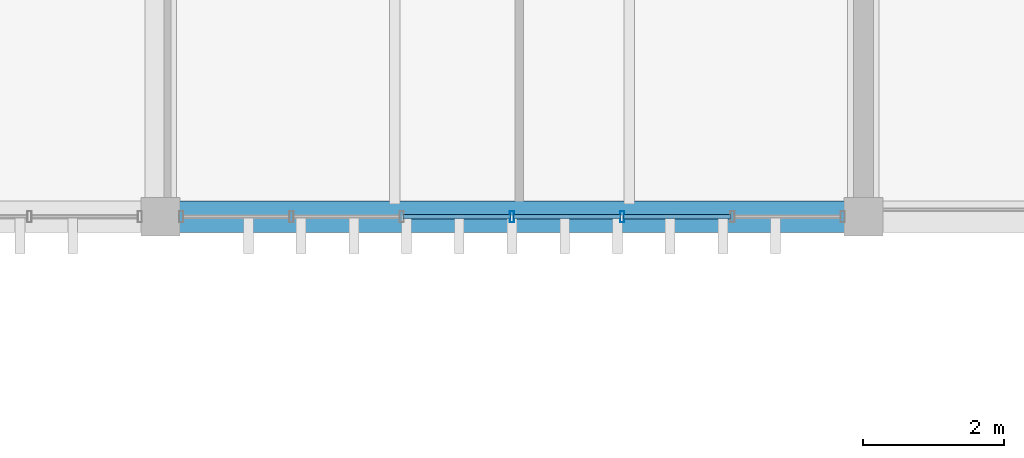
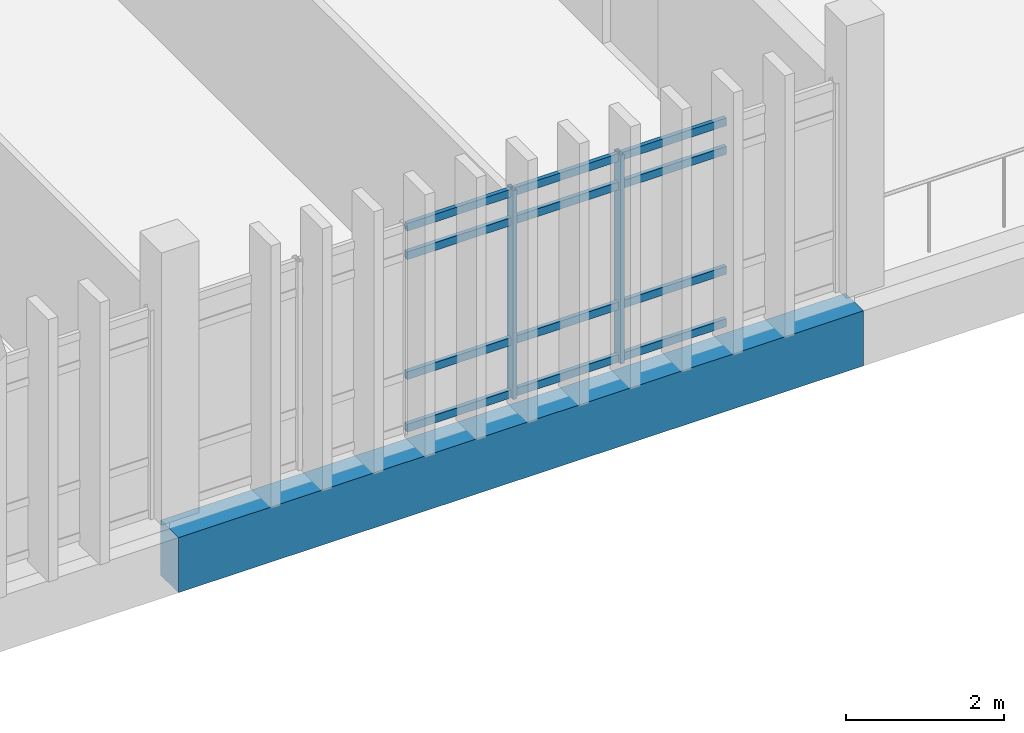
# One storey, part 9 of 29: 14 members, 1 beam, 1 element without a shape of its own.
"""IFC4 building model written with IfcOpenShell, lengths in metres."""

from ifc_helpers import new_model, si_unit, direction, frame, origin, origin_2d, place, context, subcontext, project, spatial, rectangle, hollow_rectangle, extrude, material, layer, layer_set, material_profile, profile_set, type_object, element, aggregate, save


model = new_model("IFC4")

# Units and contexts
model_context = context("Model", 3, precision=1e-05, world=origin(), true_north=direction((0.0, 1.0)))
body_context = subcontext(model_context, "Body", "Model", "MODEL_VIEW")
ifc_project = project(units=[si_unit("LENGTHUNIT", "METRE"), si_unit("AREAUNIT", "SQUARE_METRE"), si_unit("VOLUMEUNIT", "CUBIC_METRE"), si_unit("PLANEANGLEUNIT", "RADIAN"), si_unit("MASSUNIT", "GRAM", prefix="KILO")], contexts=[model_context])

# Site, building, storey
site_placement = place(None, origin())
site = spatial("IfcSite", under=ifc_project, at=site_placement, CompositionType="ELEMENT")
building_placement = place(site_placement, origin())
building = spatial("IfcBuilding", under=site, at=building_placement, Name="Mersad Railyard Sports Hall", CompositionType="ELEMENT")
storey_placement = place(building_placement, frame((0.0, 0.0, 17.39990234375)))
storey = spatial("IfcBuildingStorey", under=building, at=storey_placement, Name="L04", CompositionType="ELEMENT", Elevation=17.39990234375)

# Curtain wall, members
ifc_material_1 = material(Name="Aluminium 6063-T6", Category="aluminium")
ifc_layer = layer(ifc_material_1, 0.159912109375)
ifc_layer_set = layer_set([ifc_layer], Name="Aluminium 6063-T6")
curtain_wall_type = type_object("IfcCurtainWallType", Name="ARC-CW-CW65", PredefinedType="USERDEFINED", material=ifc_layer_set)
curtain_wall_placement = place(storey_placement, origin())
curtain_wall = element("IfcCurtainWall", 1, at=curtain_wall_placement, inside=storey, type_object=curtain_wall_type, Name="Curtain wall CW65-0170", ObjectType="CURTAIN WALL", PredefinedType="USERDEFINED")
ifc_material_profile_1 = material_profile(ifc_material_1, hollow_rectangle(XDim=0.06005859375, YDim=0.159912109375, WallThickness=0.00390625, at=origin_2d()), Name="AL MULLION 60x160x4")
ifc_profile_set_1 = profile_set([ifc_material_profile_1], Name="Aluminium 6063-T6")
member_type_1 = type_object("IfcMemberType", Name="ARC-CW-MUL01", PredefinedType="MULLION", material=ifc_profile_set_1)
member_1_placement = place(storey_placement, frame((117.568359375, 85.0, -0.02001953125), z_axis=(0.0, 0.0, 1.0), x_axis=(1.0, 0.0, 0.0)))
member_1 = element("IfcMember", 2, at=member_1_placement, type_object=member_type_1, Name="CW65 Mullion 3", PredefinedType="MULLION", context=body_context, shape_type="SweptSolid", body=[
    extrude(hollow_rectangle(XDim=0.06005859375, YDim=0.159912109375, WallThickness=0.00390625, at=origin_2d()), origin(), (0.0, 0.0, 1.0), 3.22021484375),
])
member_2_placement = place(storey_placement, frame((116.0, 85.0, -0.02001953125), z_axis=(0.0, 0.0, 1.0), x_axis=(1.0, 0.0, 0.0)))
member_2 = element("IfcMember", 3, at=member_2_placement, type_object=member_type_1, Name="CW65 Mullion 4", PredefinedType="MULLION", context=body_context, shape_type="SweptSolid", body=[
    extrude(hollow_rectangle(XDim=0.06005859375, YDim=0.159912109375, WallThickness=0.00390625, at=origin_2d()), origin(), (0.0, 0.0, 1.0), 3.22021484375),
])
ifc_material_profile_2 = material_profile(ifc_material_1, hollow_rectangle(XDim=0.06005859375, YDim=0.1201171875, WallThickness=0.00390625, at=origin_2d()), Name="AL TRANSOM 60x120x4")
ifc_profile_set_2 = profile_set([ifc_material_profile_2], Name="Aluminium 6063-T6")
member_type_2 = type_object("IfcMemberType", Name="ARC-CW-TRN01", PredefinedType="USERDEFINED", material=ifc_profile_set_2)
member_3_placement = place(storey_placement, frame((119.11669921875, 85.0, 0.0400390625), z_axis=(-1.0, 0.0, 0.0), x_axis=(0.0, -1.0, 0.0)))
member_3 = element("IfcMember", 4, at=member_3_placement, type_object=member_type_2, Name="CW65 Transom 1-2", ObjectType="TRANSOM", PredefinedType="USERDEFINED", context=body_context, shape_type="SweptSolid", body=[
    extrude(hollow_rectangle(XDim=0.06005859375, YDim=0.1201171875, WallThickness=0.00390625, at=origin_2d()), origin(), (0.0, 0.0, 1.0), 1.5283203125),
])
member_4_placement = place(storey_placement, frame((117.54833984375, 85.0, 0.0400390625), z_axis=(-1.0, 0.0, 0.0), x_axis=(0.0, -1.0, 0.0)))
member_4 = element("IfcMember", 5, at=member_4_placement, type_object=member_type_2, Name="CW65 Transom 1-3", ObjectType="TRANSOM", PredefinedType="USERDEFINED", context=body_context, shape_type="SweptSolid", body=[
    extrude(hollow_rectangle(XDim=0.06005859375, YDim=0.1201171875, WallThickness=0.00390625, at=origin_2d()), origin(), (0.0, 0.0, 1.0), 1.5283203125),
])
member_5_placement = place(storey_placement, frame((115.97998046875, 85.0, 0.0400390625), z_axis=(-1.0, 0.0, 0.0), x_axis=(0.0, -1.0, 0.0)))
member_5 = element("IfcMember", 6, at=member_5_placement, type_object=member_type_2, Name="CW65 Transom 1-4", ObjectType="TRANSOM", PredefinedType="USERDEFINED", context=body_context, shape_type="SweptSolid", body=[
    extrude(hollow_rectangle(XDim=0.06005859375, YDim=0.1201171875, WallThickness=0.00390625, at=origin_2d()), origin(), (0.0, 0.0, 1.0), 1.5283203125),
])
member_6_placement = place(storey_placement, frame((119.11669921875, 85.0, 0.85009765625), z_axis=(-1.0, 0.0, 0.0), x_axis=(0.0, -1.0, 0.0)))
member_6 = element("IfcMember", 7, at=member_6_placement, type_object=member_type_2, Name="CW65 Transom 2-2", ObjectType="TRANSOM", PredefinedType="USERDEFINED", context=body_context, shape_type="SweptSolid", body=[
    extrude(hollow_rectangle(XDim=0.06005859375, YDim=0.1201171875, WallThickness=0.00390625, at=origin_2d()), origin(), (0.0, 0.0, 1.0), 1.5283203125),
])
member_7_placement = place(storey_placement, frame((117.54833984375, 85.0, 0.85009765625), z_axis=(-1.0, 0.0, 0.0), x_axis=(0.0, -1.0, 0.0)))
member_7 = element("IfcMember", 8, at=member_7_placement, type_object=member_type_2, Name="CW65 Transom 2-3", ObjectType="TRANSOM", PredefinedType="USERDEFINED", context=body_context, shape_type="SweptSolid", body=[
    extrude(hollow_rectangle(XDim=0.06005859375, YDim=0.1201171875, WallThickness=0.00390625, at=origin_2d()), origin(), (0.0, 0.0, 1.0), 1.5283203125),
])
member_8_placement = place(storey_placement, frame((115.97998046875, 85.0, 0.85009765625), z_axis=(-1.0, 0.0, 0.0), x_axis=(0.0, -1.0, 0.0)))
member_8 = element("IfcMember", 9, at=member_8_placement, type_object=member_type_2, Name="CW65 Transom 2-4", ObjectType="TRANSOM", PredefinedType="USERDEFINED", context=body_context, shape_type="SweptSolid", body=[
    extrude(hollow_rectangle(XDim=0.06005859375, YDim=0.1201171875, WallThickness=0.00390625, at=origin_2d()), origin(), (0.0, 0.0, 1.0), 1.5283203125),
])
member_9_placement = place(storey_placement, frame((119.11669921875, 85.0, 2.7001953125), z_axis=(-1.0, 0.0, 0.0), x_axis=(0.0, -1.0, 0.0)))
member_9 = element("IfcMember", 10, at=member_9_placement, type_object=member_type_2, Name="CW65 Transom 3-2", ObjectType="TRANSOM", PredefinedType="USERDEFINED", context=body_context, shape_type="SweptSolid", body=[
    extrude(hollow_rectangle(XDim=0.06005859375, YDim=0.1201171875, WallThickness=0.00390625, at=origin_2d()), origin(), (0.0, 0.0, 1.0), 1.5283203125),
])
member_10_placement = place(storey_placement, frame((117.54833984375, 85.0, 2.7001953125), z_axis=(-1.0, 0.0, 0.0), x_axis=(0.0, -1.0, 0.0)))
member_10 = element("IfcMember", 11, at=member_10_placement, type_object=member_type_2, Name="CW65 Transom 3-3", ObjectType="TRANSOM", PredefinedType="USERDEFINED", context=body_context, shape_type="SweptSolid", body=[
    extrude(hollow_rectangle(XDim=0.06005859375, YDim=0.1201171875, WallThickness=0.00390625, at=origin_2d()), origin(), (0.0, 0.0, 1.0), 1.5283203125),
])
member_11_placement = place(storey_placement, frame((115.97998046875, 85.0, 2.7001953125), z_axis=(-1.0, 0.0, 0.0), x_axis=(0.0, -1.0, 0.0)))
member_11 = element("IfcMember", 12, at=member_11_placement, type_object=member_type_2, Name="CW65 Transom 3-4", ObjectType="TRANSOM", PredefinedType="USERDEFINED", context=body_context, shape_type="SweptSolid", body=[
    extrude(hollow_rectangle(XDim=0.06005859375, YDim=0.1201171875, WallThickness=0.00390625, at=origin_2d()), origin(), (0.0, 0.0, 1.0), 1.5283203125),
])
member_12_placement = place(storey_placement, frame((119.11669921875, 85.0, 3.14013671875), z_axis=(-1.0, 0.0, 0.0), x_axis=(0.0, -1.0, 0.0)))
member_12 = element("IfcMember", 13, at=member_12_placement, type_object=member_type_2, Name="CW65 Transom 4-2", ObjectType="TRANSOM", PredefinedType="USERDEFINED", context=body_context, shape_type="SweptSolid", body=[
    extrude(hollow_rectangle(XDim=0.06005859375, YDim=0.1201171875, WallThickness=0.00390625, at=origin_2d()), origin(), (0.0, 0.0, 1.0), 1.5283203125),
])
member_13_placement = place(storey_placement, frame((117.54833984375, 85.0, 3.14013671875), z_axis=(-1.0, 0.0, 0.0), x_axis=(0.0, -1.0, 0.0)))
member_13 = element("IfcMember", 14, at=member_13_placement, type_object=member_type_2, Name="CW65 Transom 4-3", ObjectType="TRANSOM", PredefinedType="USERDEFINED", context=body_context, shape_type="SweptSolid", body=[
    extrude(hollow_rectangle(XDim=0.06005859375, YDim=0.1201171875, WallThickness=0.00390625, at=origin_2d()), origin(), (0.0, 0.0, 1.0), 1.5283203125),
])
member_14_placement = place(storey_placement, frame((115.97998046875, 85.0, 3.14013671875), z_axis=(-1.0, 0.0, 0.0), x_axis=(0.0, -1.0, 0.0)))
member_14 = element("IfcMember", 15, at=member_14_placement, type_object=member_type_2, Name="CW65 Transom 4-4", ObjectType="TRANSOM", PredefinedType="USERDEFINED", context=body_context, shape_type="SweptSolid", body=[
    extrude(hollow_rectangle(XDim=0.06005859375, YDim=0.1201171875, WallThickness=0.00390625, at=origin_2d()), origin(), (0.0, 0.0, 1.0), 1.5283203125),
])
aggregate(curtain_wall, [member_1, member_2, member_3, member_4, member_5, member_6, member_7, member_8, member_9, member_10, member_11, member_12, member_13, member_14])

# Beam
ifc_material_2 = material(Name="Concrete C40/50", Category="concrete")
ifc_material_profile_3 = material_profile(ifc_material_2, rectangle(XDim=0.449951171875, YDim=0.85009765625, at=origin_2d()), Name="RC 450x850")
ifc_profile_set_3 = profile_set([ifc_material_profile_3], Name="Concrete C40/50")
beam_type = type_object("IfcBeamType", Name="STR-BM-B02", PredefinedType="BEAM", material=ifc_profile_set_3)
beam_placement = place(storey_placement, frame((111.0, 85.0, -0.744873046875), z_axis=(1.0, 0.0, 0.0), x_axis=(0.0, 1.0, 0.0)))
element("IfcBeam", 16, at=beam_placement, inside=storey, type_object=beam_type, Name="Beam B02-1319", PredefinedType="BEAM", context=body_context, shape_type="SweptSolid", body=[
    extrude(rectangle(XDim=0.449951171875, YDim=0.85009765625, at=origin_2d()), origin(), (0.0, 0.0, 1.0), 10.0),
])

save(model, "model.ifc")
